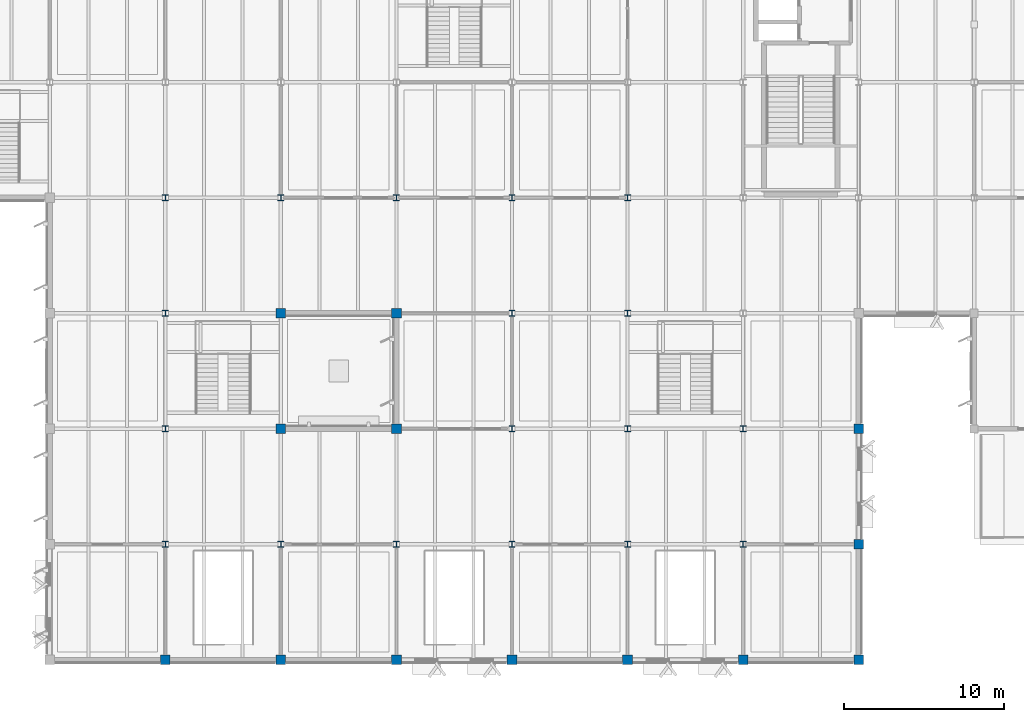
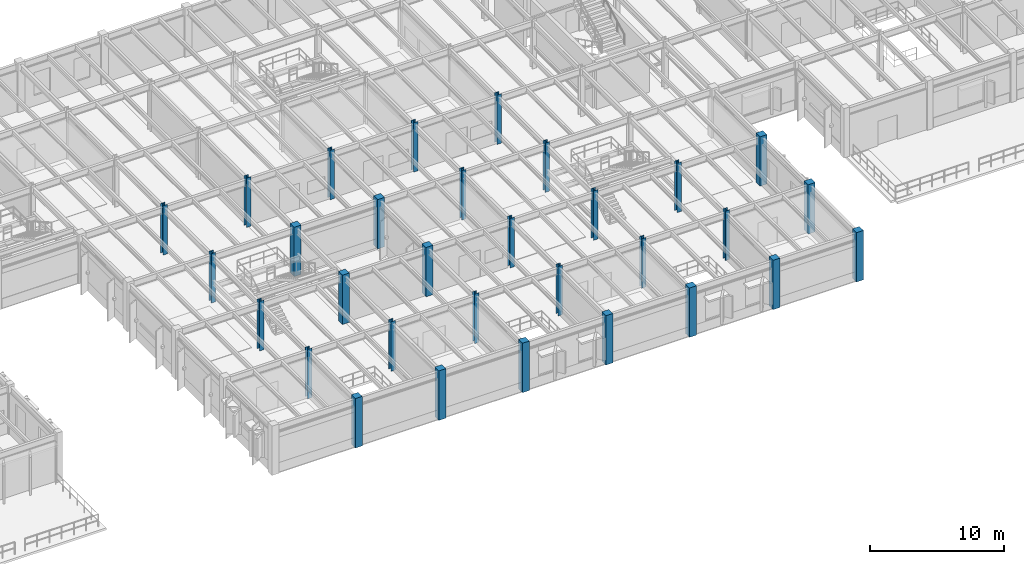
# One storey, part 5 of 92: 31 columns.
"""IFC4 building model written with IfcOpenShell, lengths in metres."""

import ifcopenshell
import ifcopenshell.guid

model = None  # the IFC model being written
_history = None  # IfcOwnerHistory: only IFC2X3 demands one
_inside = {}  # id of a spatial element -> (the spatial element, [elements in it])
_under = {}  # id of a project, library or spatial element -> (it, [spatial elements below it])
_declared = {}  # id of a project -> (the project, [libraries it declares])
_typed = {}  # id of a type object -> (the type object, [elements of that type])
_made_of = {}  # id of a material, layer set ... -> (it, [elements and type objects made of it])


def new_model(schema):
    """Start an empty IFC model of exactly this schema.

    Asked for "IFC4X3", IfcOpenShell would pick the latest addendum, in which some entities
    have other attributes; the version numbers below select the first issue.
    IFC2X3 requires an IfcOwnerHistory on every rooted entity: one is made here for all.
    """
    global model, _history
    if schema == "IFC4X3":
        model = ifcopenshell.file(schema_version=(4, 3, 0, 0))
    else:
        model = ifcopenshell.file(schema=schema)
    _inside.clear()
    _under.clear()
    _declared.clear()
    _typed.clear()
    _made_of.clear()
    _history = None
    if model.schema == "IFC2X3":
        org = make("IfcOrganization", Name="unknown")
        user = make(
            "IfcPersonAndOrganization",
            ThePerson=make("IfcPerson", FamilyName="unknown"),
            TheOrganization=org,
        )
        app = make(
            "IfcApplication",
            ApplicationDeveloper=org,
            Version="unknown",
            ApplicationFullName="unknown",
            ApplicationIdentifier="unknown",
        )
        _history = make(
            "IfcOwnerHistory",
            OwningUser=user,
            OwningApplication=app,
            ChangeAction="ADDED",
            CreationDate=0,
        )
    return model


def make(cls, **values):
    """One entity of the class cls with the attributes given. An attribute that is None is left unset."""
    return model.create_entity(
        cls, **{name: value for name, value in values.items() if value is not None}
    )


def rooted(cls, **values):
    """An entity with a GlobalId (a new one), such as an element, a storey or a relation."""
    return make(cls, GlobalId=ifcopenshell.guid.new(), OwnerHistory=_history, **values)


def si_unit(unit_type, name, prefix=None):
    """IfcSIUnit, for example si_unit("LENGTHUNIT", "METRE", prefix="MILLI")."""
    return make("IfcSIUnit", UnitType=unit_type, Prefix=prefix, Name=name)


def assignment(units):
    """IfcUnitAssignment: the units of a project."""
    return None if units is None else make("IfcUnitAssignment", Units=units)


def point(xyz):
    """IfcCartesianPoint."""
    return None if xyz is None else make("IfcCartesianPoint", Coordinates=xyz)


def direction(xyz):
    """IfcDirection."""
    return None if xyz is None else make("IfcDirection", DirectionRatios=xyz)


def frame(location, z_axis=None, x_axis=None):
    """IfcAxis2Placement3D, a coordinate frame: its origin and axes. An axis left out is left unset."""
    return make(
        "IfcAxis2Placement3D",
        Location=point(location),
        Axis=direction(z_axis),
        RefDirection=direction(x_axis),
    )


def frame_2d(location, x_axis=None):
    """IfcAxis2Placement2D, a coordinate frame in the plane: its origin and x axis."""
    return make(
        "IfcAxis2Placement2D", Location=point(location), RefDirection=direction(x_axis)
    )


def origin():
    """The frame at (0, 0, 0) with its axes left unset."""
    return frame((0.0, 0.0, 0.0))


def origin_2d():
    """The frame at (0, 0) in the plane with its x axis left unset."""
    return frame_2d((0.0, 0.0))


def place(relative_to, where):
    """IfcLocalPlacement: puts the frame where relative to a parent placement (None: the world)."""
    return make(
        "IfcLocalPlacement", PlacementRelTo=relative_to, RelativePlacement=where
    )


def context(
    kind, dimensions, precision=None, world=None, true_north=None, identifier=None
):
    """IfcGeometricRepresentationContext, for example the 3D "Model" context."""
    return make(
        "IfcGeometricRepresentationContext",
        ContextIdentifier=identifier,
        ContextType=kind,
        CoordinateSpaceDimension=dimensions,
        Precision=precision,
        WorldCoordinateSystem=world,
        TrueNorth=true_north,
    )


def subcontext(parent, identifier, kind, view, scale=None):
    """IfcGeometricRepresentationSubContext, for example "Body" below "Model"."""
    return make(
        "IfcGeometricRepresentationSubContext",
        ContextIdentifier=identifier,
        ContextType=kind,
        ParentContext=parent,
        TargetScale=scale,
        TargetView=view,
    )


def project(units=None, contexts=None):
    """IfcProject with its units and contexts."""
    return rooted(
        "IfcProject",
        Name="project",
        RepresentationContexts=contexts,
        UnitsInContext=assignment(units),
    )


def spatial(cls, under=None, at=None, **own):
    """A site, building, storey or space (cls), placed at a placement, below another one or the project."""
    s = rooted(cls, ObjectPlacement=at, **own)
    if under is not None:
        _under.setdefault(under.id(), (under, []))[1].append(s)
    return s


def profile(cls, at=None, kind="AREA", **sizes):
    """A parametric profile (cls). Its sizes go by their IFC names, for example OverallWidth=200.0."""
    return make(cls, ProfileType=kind, Position=at, **sizes)


def rectangle(**sizes):
    """IfcRectangleProfileDef."""
    return profile("IfcRectangleProfileDef", **sizes)


def i_section(**sizes):
    """IfcIShapeProfileDef."""
    return profile("IfcIShapeProfileDef", **sizes)


def extrude(swept, where, along, depth):
    """IfcExtrudedAreaSolid: the profile swept, set in the frame where, extruded along a direction by depth."""
    return make(
        "IfcExtrudedAreaSolid",
        SweptArea=swept,
        Position=where,
        ExtrudedDirection=direction(along),
        Depth=depth,
    )


def shape(context_of_items, identifier, shape_type, items):
    """IfcShapeRepresentation: the items that make up one representation, for example the "Body"."""
    return make(
        "IfcShapeRepresentation",
        ContextOfItems=context_of_items,
        RepresentationIdentifier=identifier,
        RepresentationType=shape_type,
        Items=items,
    )


def material(Name=None, Category=None):
    """IfcMaterial."""
    return make("IfcMaterial", Name=Name, Category=Category)


def material_profile(
    of_material, cross_section, Name=None, Category=None, Priority=None
):
    """IfcMaterialProfile: a cross section and its material."""
    return make(
        "IfcMaterialProfile",
        Name=Name,
        Material=of_material,
        Profile=cross_section,
        Priority=Priority,
        Category=Category,
    )


def profile_set(profiles, Name=None, composite=None):
    """IfcMaterialProfileSet."""
    return make(
        "IfcMaterialProfileSet",
        Name=Name,
        MaterialProfiles=profiles,
        CompositeProfile=composite,
    )


def made_of(thing, what):
    """Note that an element or type object is made of a material, layer set ...; save() writes the relation."""
    if what is not None:
        _made_of.setdefault(what.id(), (what, []))[1].append(thing)
    return thing


def type_object(cls, material=None, **own):
    """A type object (cls), such as IfcWallType, which elements share."""
    return made_of(rooted(cls, **own), material)


def element(
    cls,
    number,
    at=None,
    inside=None,
    cuts=None,
    type_object=None,
    material=None,
    context=None,
    identifier="Body",
    shape_type=None,
    held_by="IfcProductDefinitionShape",
    body=None,
    shapes=None,
    **own,
):
    """One element of the class cls, such as IfcWall. Its Tag is "e" and its number.

    at: its placement. inside: the storey or other place that contains it. cuts: it is an
    opening in that element (IfcRelVoidsElement). A single representation is given by context,
    identifier, shape_type and body (its items); several are given by shapes. held_by: the class
    of the entity that holds the representations. save() writes the other relations.
    """
    e = rooted(cls, Tag="e%d" % number, ObjectPlacement=at, **own)
    if body is not None:
        shapes = [shape(context, identifier, shape_type, body)]
    if shapes is not None:
        e.Representation = make(held_by, Representations=shapes)
    if inside is not None:
        _inside.setdefault(inside.id(), (inside, []))[1].append(e)
    if cuts is not None:
        rooted(
            "IfcRelVoidsElement", RelatingBuildingElement=cuts, RelatedOpeningElement=e
        )
    if type_object is not None:
        _typed.setdefault(type_object.id(), (type_object, []))[1].append(e)
    return made_of(e, material)


def aggregate(whole, parts):
    """IfcRelAggregates: a whole, such as a stair, and the parts it consists of."""
    return rooted("IfcRelAggregates", RelatingObject=whole, RelatedObjects=parts)


def save(model, path):
    """Write the relations noted so far, then the file.

    IfcRelAggregates (storeys below a building ...), IfcRelContainedInSpatialStructure (elements
    in a storey), IfcRelDefinesByType, IfcRelAssociatesMaterial and IfcRelDeclares: one each for
    every whole, place, type object, material and project.
    """
    for whole, parts in _under.values():
        aggregate(whole, parts)
    for where, things in _inside.values():
        rooted(
            "IfcRelContainedInSpatialStructure",
            RelatedElements=things,
            RelatingStructure=where,
        )
    for kind, things in _typed.values():
        rooted("IfcRelDefinesByType", RelatedObjects=things, RelatingType=kind)
    for what, things in _made_of.values():
        rooted("IfcRelAssociatesMaterial", RelatedObjects=things, RelatingMaterial=what)
    for by, libraries in _declared.values():
        rooted("IfcRelDeclares", RelatingContext=by, RelatedDefinitions=libraries)
    model.write(path)


model = new_model("IFC4")

# Units and contexts
model_context = context("Model", 3, precision=1e-05, world=origin(), true_north=direction((0.0, 1.0)))
body_context = subcontext(model_context, "Body", "Model", "MODEL_VIEW")
ifc_project = project(units=[si_unit("LENGTHUNIT", "METRE"), si_unit("AREAUNIT", "SQUARE_METRE"), si_unit("VOLUMEUNIT", "CUBIC_METRE"), si_unit("PLANEANGLEUNIT", "RADIAN"), si_unit("MASSUNIT", "GRAM", prefix="KILO")], contexts=[model_context])

# Site, building, storey
site_placement = place(None, origin())
site = spatial("IfcSite", under=ifc_project, at=site_placement, CompositionType="ELEMENT")
building_placement = place(site_placement, origin())
building = spatial("IfcBuilding", under=site, at=building_placement, Name="Sillqori Civic Hall", CompositionType="ELEMENT")
storey_placement = place(building_placement, frame((0.0, 0.0, 5.39990234375)))
storey = spatial("IfcBuildingStorey", under=building, at=storey_placement, Name="L02", CompositionType="ELEMENT", Elevation=5.39990234375)

# Columns
ifc_material_1 = material(Name="Concrete C35/45 (H35)", Category="concrete")
ifc_material_profile_1 = material_profile(ifc_material_1, rectangle(XDim=0.60009765625, YDim=0.60009765625, at=origin_2d()), Name="RC 600x600")
ifc_profile_set_1 = profile_set([ifc_material_profile_1], Name="Concrete C35/45 (H35)")
column_type_1 = type_object("IfcColumnType", Name="COL-RC600", PredefinedType="COLUMN", material=ifc_profile_set_1)
for number, where, z_axis, x_axis, name in (
    (1, (72.0, 7.199951171875, 0.0), (0.0, 0.0, 1.0), (1.0, 0.0, 0.0), "L02 column 10-1"),
    (2, (79.199951171875, 7.199951171875, 0.0), (0.0, 0.0, 1.0), (1.0, 0.0, 0.0), "L02 column 11-1"),
    (3, (79.199951171875, 21.60009765625, 0.0), (0.0, 0.0, 1.0), (1.0, 0.0, 0.0), "L02 column 11-3"),
    (4, (79.199951171875, 28.800048828125, 0.0), (0.0, 0.0, 1.0), (1.0, 0.0, 0.0), "L02 column 11-4"),
    (5, (86.39990234375, 7.199951171875, 0.0), (0.0, 0.0, 1.0), (1.0, 0.0, 0.0), "L02 column 12-1"),
    (6, (86.39990234375, 21.60009765625, 0.0), (0.0, 0.0, 1.0), (1.0, 0.0, 0.0), "L02 column 12-3"),
    (7, (86.39990234375, 28.800048828125, 0.0), (0.0, 0.0, 1.0), (1.0, 0.0, 0.0), "L02 column 12-4"),
    (8, (93.60009765625, 7.199951171875, 0.0), (0.0, 0.0, 1.0), (1.0, 0.0, 0.0), "L02 column 13-1"),
    (9, (100.800048828125, 7.199951171875, 0.0), (0.0, 0.0, 1.0), (1.0, 0.0, 0.0), "L02 column 14-1"),
    (10, (108.0, 7.199951171875, 0.0), (0.0, 0.0, 1.0), (1.0, 0.0, 0.0), "L02 column 15-1"),
    (11, (115.199951171875, 7.199951171875, 0.0), (0.0, 0.0, 1.0), (1.0, 0.0, 0.0), "L02 column 16-1"),
    (12, (115.199951171875, 14.39990234375, 0.0), (0.0, 0.0, 1.0), (1.0, 0.0, 0.0), "L02 column 16-2"),
    (13, (115.199951171875, 21.60009765625, 0.0), (0.0, 0.0, 1.0), (1.0, 0.0, 0.0), "L02 column 16-3"),
):
    element("IfcColumn", number, at=place(storey_placement, frame(where, z_axis=z_axis, x_axis=x_axis)), inside=storey, type_object=column_type_1, Name=name, PredefinedType="COLUMN", context=body_context, shape_type="SweptSolid", body=[
        extrude(rectangle(XDim=0.60009765625, YDim=0.60009765625, at=origin_2d()), origin(), (0.0, 0.0, 1.0), 4.5),
    ])
ifc_material_2 = material(Name="Steel ASTM A992", Category="steel")
ifc_material_profile_2 = material_profile(ifc_material_2, i_section(OverallWidth=0.373046875, OverallDepth=0.367919921875, WebThickness=0.014892578125, FlangeThickness=0.02392578125, FilletRadius=0.014892578125, at=origin_2d()), Name="W14X120")
ifc_profile_set_2 = profile_set([ifc_material_profile_2], Name="Steel ASTM A992")
column_type_2 = type_object("IfcColumnType", Name="COL-W14X120", PredefinedType="COLUMN", material=ifc_profile_set_2)
for number, where, z_axis, x_axis, name in (
    (14, (72.0, 14.39990234375, 0.0), (0.0, 0.0, 1.0), (1.0, 0.0, 0.0), "L02 column 10-2"),
    (15, (72.0, 21.60009765625, 0.0), (0.0, 0.0, 1.0), (1.0, 0.0, 0.0), "L02 column 10-3"),
    (16, (72.0, 28.800048828125, 0.0), (0.0, 0.0, 1.0), (1.0, 0.0, 0.0), "L02 column 10-4"),
    (17, (72.0, 36.0, 0.0), (0.0, 0.0, 1.0), (1.0, 0.0, 0.0), "L02 column 10-5"),
    (18, (79.199951171875, 14.39990234375, 0.0), (0.0, 0.0, 1.0), (1.0, 0.0, 0.0), "L02 column 11-2"),
    (19, (79.199951171875, 36.0, 0.0), (0.0, 0.0, 1.0), (1.0, 0.0, 0.0), "L02 column 11-5"),
    (20, (86.39990234375, 14.39990234375, 0.0), (0.0, 0.0, 1.0), (1.0, 0.0, 0.0), "L02 column 12-2"),
    (21, (86.39990234375, 36.0, 0.0), (0.0, 0.0, 1.0), (1.0, 0.0, 0.0), "L02 column 12-5"),
    (22, (93.60009765625, 14.39990234375, 0.0), (0.0, 0.0, 1.0), (1.0, 0.0, 0.0), "L02 column 13-2"),
    (23, (93.60009765625, 21.60009765625, 0.0), (0.0, 0.0, 1.0), (1.0, 0.0, 0.0), "L02 column 13-3"),
    (24, (93.60009765625, 28.800048828125, 0.0), (0.0, 0.0, 1.0), (1.0, 0.0, 0.0), "L02 column 13-4"),
    (25, (93.60009765625, 36.0, 0.0), (0.0, 0.0, 1.0), (1.0, 0.0, 0.0), "L02 column 13-5"),
    (26, (100.800048828125, 14.39990234375, 0.0), (0.0, 0.0, 1.0), (1.0, 0.0, 0.0), "L02 column 14-2"),
    (27, (100.800048828125, 21.60009765625, 0.0), (0.0, 0.0, 1.0), (1.0, 0.0, 0.0), "L02 column 14-3"),
    (28, (100.800048828125, 28.800048828125, 0.0), (0.0, 0.0, 1.0), (1.0, 0.0, 0.0), "L02 column 14-4"),
    (29, (100.800048828125, 36.0, 0.0), (0.0, 0.0, 1.0), (1.0, 0.0, 0.0), "L02 column 14-5"),
    (30, (108.0, 14.39990234375, 0.0), (0.0, 0.0, 1.0), (1.0, 0.0, 0.0), "L02 column 15-2"),
    (31, (108.0, 21.60009765625, 0.0), (0.0, 0.0, 1.0), (1.0, 0.0, 0.0), "L02 column 15-3"),
):
    element("IfcColumn", number, at=place(storey_placement, frame(where, z_axis=z_axis, x_axis=x_axis)), inside=storey, type_object=column_type_2, Name=name, PredefinedType="COLUMN", context=body_context, shape_type="SweptSolid", body=[
        extrude(i_section(OverallWidth=0.373046875, OverallDepth=0.367919921875, WebThickness=0.014892578125, FlangeThickness=0.02392578125, FilletRadius=0.014892578125, at=origin_2d()), origin(), (0.0, 0.0, 1.0), 4.5),
    ])

save(model, "model.ifc")
